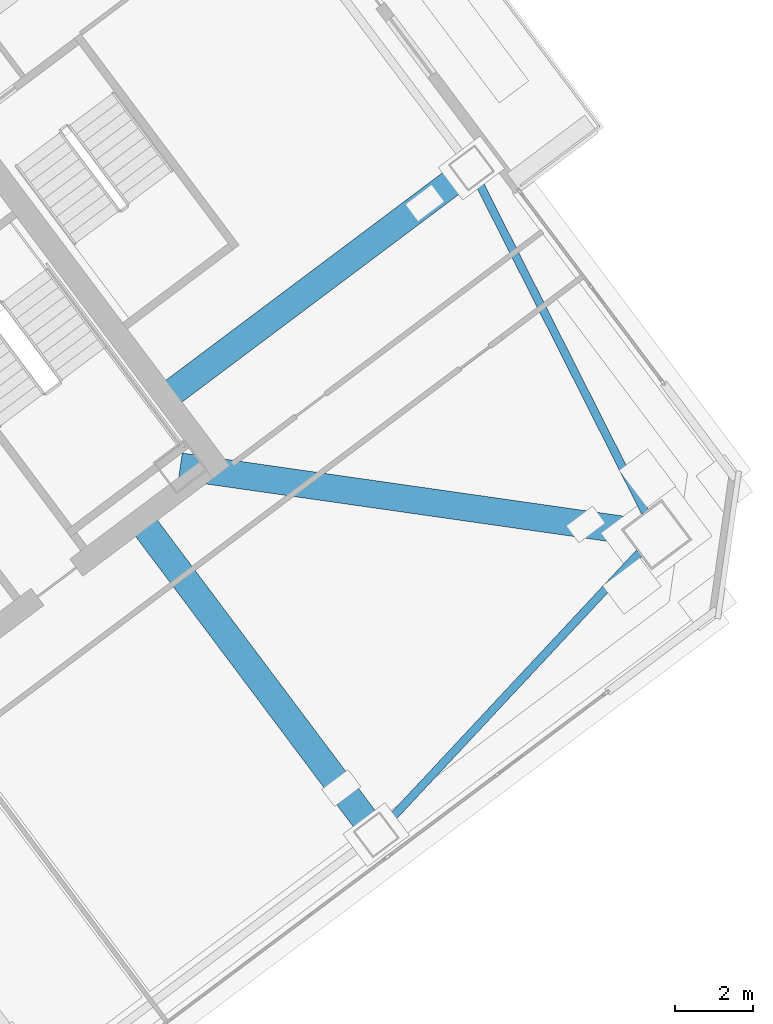
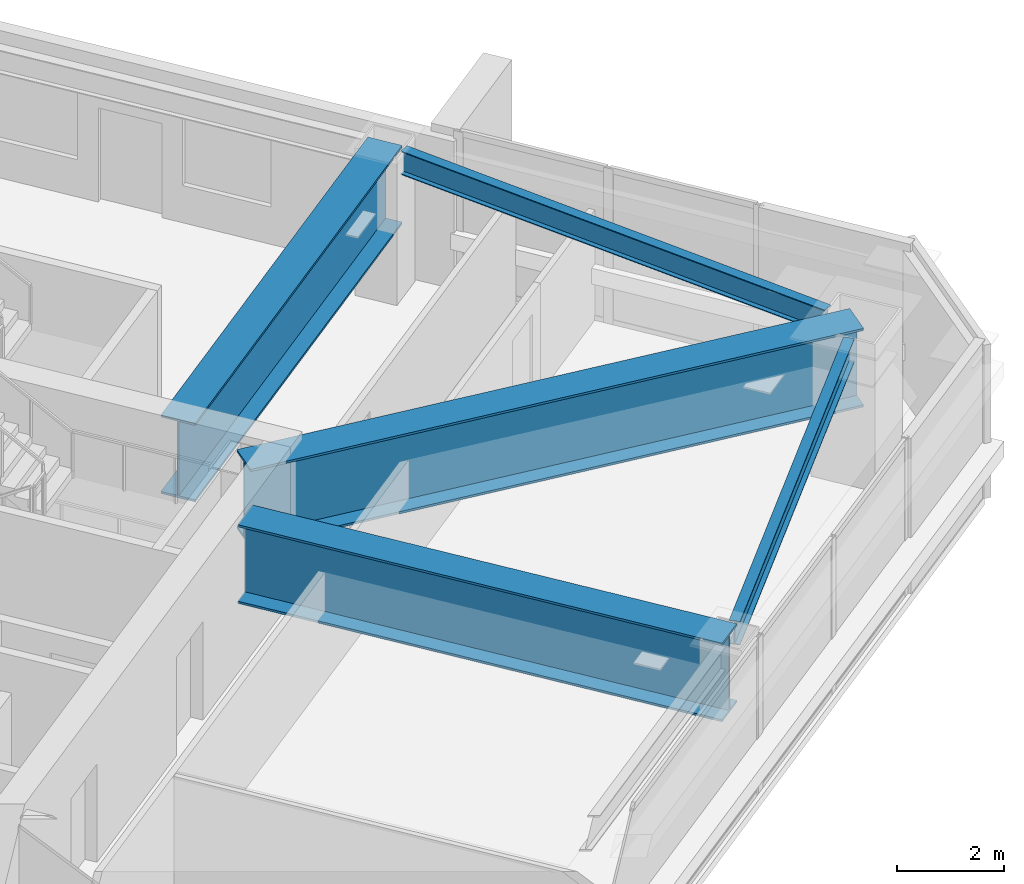
# One storey, part 24 of 42: 5 beams.
"""IFC4 building model written with IfcOpenShell, lengths in metres."""

from ifc_helpers import new_model, si_unit, direction, frame, origin, origin_2d, place, context, subcontext, project, spatial, i_section, extrude, material, material_profile, profile_set, type_object, element, save


model = new_model("IFC4")

# Units and contexts
model_context = context("Model", 3, precision=1e-05, world=origin(), true_north=direction((0.0, 1.0)))
body_context = subcontext(model_context, "Body", "Model", "MODEL_VIEW")
ifc_project = project(units=[si_unit("LENGTHUNIT", "METRE"), si_unit("AREAUNIT", "SQUARE_METRE"), si_unit("VOLUMEUNIT", "CUBIC_METRE"), si_unit("PLANEANGLEUNIT", "RADIAN"), si_unit("MASSUNIT", "GRAM", prefix="KILO")], contexts=[model_context])

# Site, building, storey
site_placement = place(None, origin())
site = spatial("IfcSite", under=ifc_project, at=site_placement, CompositionType="ELEMENT")
building_placement = place(site_placement, origin())
building = spatial("IfcBuilding", under=site, at=building_placement, Name="Tashvorn Skyway Center", CompositionType="ELEMENT")
storey_placement = place(building_placement, frame((0.0, 0.0, 153.449951171875)))
storey = spatial("IfcBuildingStorey", under=building, at=storey_placement, Name="L41", CompositionType="ELEMENT", Elevation=153.449951171875)

# Beams
ifc_material_1 = material(Name="Steel ASTM A572 Grade 50", Category="steel")
ifc_material_profile_1 = material_profile(ifc_material_1, i_section(OverallWidth=0.699951171875, OverallDepth=1.800048828125, WebThickness=0.031982421875, FlangeThickness=0.050048828125, at=origin_2d()), Name="PG1800x700")
ifc_profile_set_1 = profile_set([ifc_material_profile_1], Name="Steel ASTM A572 Grade 50")
beam_type_1 = type_object("IfcBeamType", Name="BM-BEAM-PG1800x700", PredefinedType="BEAM", material=ifc_profile_set_1)
beam_1_placement = place(storey_placement, frame((136.1201171875, 28.840087890625, 2.469970703125), z_axis=(-0.989949493661, 0.141421356237, 0.0), x_axis=(-0.141421356237, -0.989949493661, 0.0)))
element("IfcBeam", 1, at=beam_1_placement, inside=storey, type_object=beam_type_1, Name="Tower 2 L41 Setback Transfer Girder MC-SE", PredefinedType="BEAM", context=body_context, shape_type="SweptSolid", body=[
    extrude(i_section(OverallWidth=0.699951171875, OverallDepth=1.800048828125, WebThickness=0.031982421875, FlangeThickness=0.050048828125, at=origin_2d()), origin(), (0.0, 0.0, 1.0), 12.374267578125),
])
beam_2_placement = place(storey_placement, frame((128.909912109375, 21.1201171875, 2.469970703125), z_axis=(-0.599992084508, 0.800005936558, 0.0), x_axis=(-0.800005936558, -0.599992084508, 0.0)))
element("IfcBeam", 2, at=beam_2_placement, inside=storey, type_object=beam_type_1, Name="Tower 2 L41 Setback Transfer Girder FC-S2", PredefinedType="BEAM", context=body_context, shape_type="SweptSolid", body=[
    extrude(i_section(OverallWidth=0.699951171875, OverallDepth=1.800048828125, WebThickness=0.031982421875, FlangeThickness=0.050048828125, at=origin_2d()), origin(), (0.0, 0.0, 1.0), 9.869873046875),
])
beam_3_placement = place(storey_placement, frame((131.360107421875, 38.27001953125, 2.469970703125), z_axis=(-0.799994063452, -0.600007915316, 0.0), x_axis=(0.600007915316, -0.799994063452, 0.0)))
element("IfcBeam", 3, at=beam_3_placement, inside=storey, type_object=beam_type_1, Name="Tower 2 L41 Setback Transfer Girder FC-E1", PredefinedType="BEAM", context=body_context, shape_type="SweptSolid", body=[
    extrude(i_section(OverallWidth=0.699951171875, OverallDepth=1.800048828125, WebThickness=0.031982421875, FlangeThickness=0.050048828125, at=origin_2d()), origin(), (0.0, 0.0, 1.0), 9.8701171875),
])
ifc_material_2 = material(Name="Steel ASTM A992 Grade 50", Category="steel")
ifc_material_profile_2 = material_profile(ifc_material_2, i_section(OverallWidth=0.2109375, OverallDepth=0.5390625, WebThickness=0.01171875, FlangeThickness=0.018798828125, at=origin_2d()), Name="W21X73")
ifc_profile_set_2 = profile_set([ifc_material_profile_2], Name="Steel ASTM A992 Grade 50")
beam_type_2 = type_object("IfcBeamType", Name="BM-SPANDREL-W21X73", PredefinedType="SPANDREL", material=ifc_profile_set_2)
beam_4_placement = place(storey_placement, frame((129.19677734375, 21.427001953125, 3.1005859375), z_axis=(0.682545341102, 0.730843250868, 0.0), x_axis=(-0.730843250868, 0.682545341102, 0.0)))
element("IfcBeam", 4, at=beam_4_placement, inside=storey, type_object=beam_type_2, Name="Tower 2 L41 Spandrel Beam 03", PredefinedType="SPANDREL", context=body_context, shape_type="SweptSolid", body=[
    extrude(i_section(OverallWidth=0.2109375, OverallDepth=0.5390625, WebThickness=0.01171875, FlangeThickness=0.018798828125, at=origin_2d()), origin(), (0.0, 0.0, 1.0), 9.498046875),
])
beam_5_placement = place(storey_placement, frame((135.829345703125, 29.415771484375, 3.1005859375), z_axis=(-0.450613543136, 0.892719124217, 0.0), x_axis=(-0.892719124217, -0.450613543136, 0.0)))
element("IfcBeam", 5, at=beam_5_placement, inside=storey, type_object=beam_type_2, Name="Tower 2 L41 Spandrel Beam 04", PredefinedType="SPANDREL", context=body_context, shape_type="SweptSolid", body=[
    extrude(i_section(OverallWidth=0.2109375, OverallDepth=0.5390625, WebThickness=0.01171875, FlangeThickness=0.018798828125, at=origin_2d()), origin(), (0.0, 0.0, 1.0), 9.498291015625),
])

save(model, "model.ifc")
